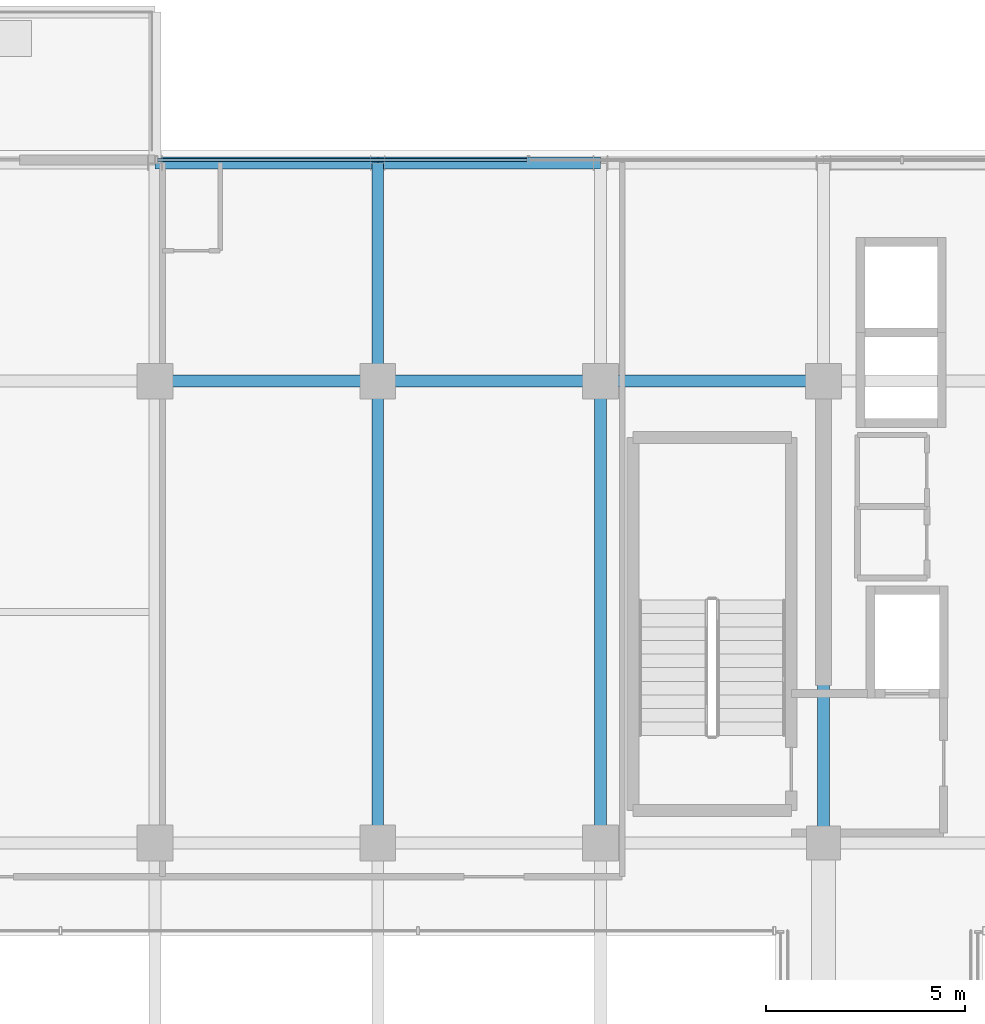
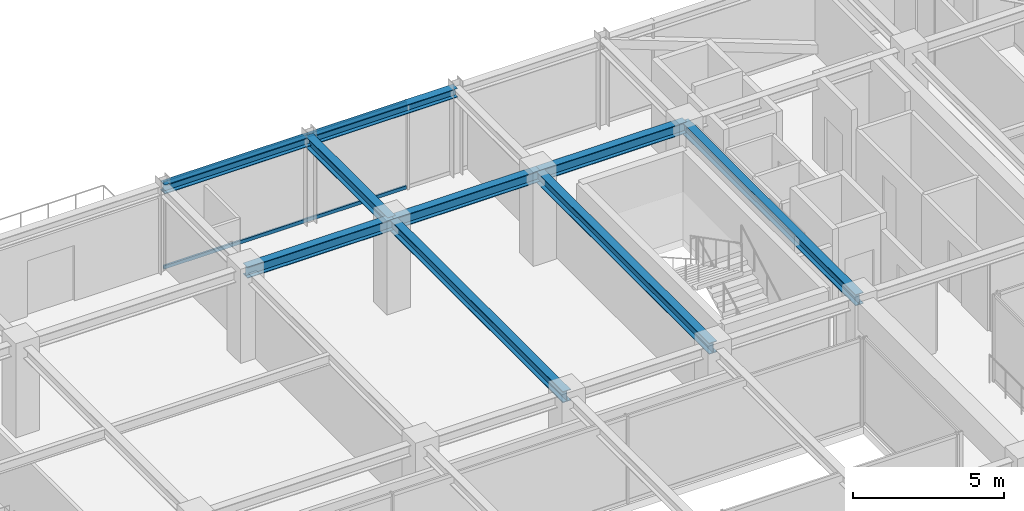
# One storey, part 26 of 39: 9 beams, 2 members, 1 element without a shape of its own.
"""IFC4 building model written with IfcOpenShell, lengths in metres."""

from ifc_helpers import new_model, si_unit, direction, frame, origin, origin_2d, place, context, subcontext, project, spatial, hollow_rectangle, i_section, extrude, source, transform, mapped, material, material_profile, profile_set, type_object, element, aggregate, save


model = new_model("IFC4")

# Units and contexts
model_context = context("Model", 3, precision=1e-05, world=origin(), true_north=direction((0.0, 1.0)))
body_context = subcontext(model_context, "Body", "Model", "MODEL_VIEW")
ifc_project = project(units=[si_unit("LENGTHUNIT", "METRE"), si_unit("AREAUNIT", "SQUARE_METRE"), si_unit("VOLUMEUNIT", "CUBIC_METRE"), si_unit("PLANEANGLEUNIT", "RADIAN"), si_unit("MASSUNIT", "GRAM", prefix="KILO")], contexts=[model_context])

# Site, building, storey
site_placement = place(None, origin())
site = spatial("IfcSite", under=ifc_project, at=site_placement, CompositionType="ELEMENT")
building_placement = place(site_placement, origin())
building = spatial("IfcBuilding", under=site, at=building_placement, Name="Nahalor Promenade Grand Hotel", CompositionType="ELEMENT")
storey_placement = place(building_placement, frame((0.0, 0.0, 311.89990234375)))
storey = spatial("IfcBuildingStorey", under=building, at=storey_placement, Name="L80", CompositionType="ELEMENT", Elevation=311.89990234375)

# Beams
ifc_material_1 = material(Name="Steel S355JR", Category="steel")
ifc_material_profile_1 = material_profile(ifc_material_1, i_section(OverallWidth=0.3, OverallDepth=0.45, WebThickness=0.014, FlangeThickness=0.026, at=origin_2d()), Name="HEB 450")
ifc_profile_set_1 = profile_set([ifc_material_profile_1], Name="Steel S355JR")
beam_type_1 = type_object("IfcBeamType", Name="Beam-Girder-HEB450", PredefinedType="BEAM", material=ifc_profile_set_1)
shared_shape_1 = source(origin(), body_context, "Body", "SweptSolid", [
    extrude(i_section(OverallWidth=0.3, OverallDepth=0.45, WebThickness=0.014, FlangeThickness=0.026, at=origin_2d()), origin(), (0.0, 0.0, 1.0), 5.599853515625),
])
for number, where, z_axis, x_axis, name in (
    (1, (-8.39990234375, 17.0, 3.3251953125), (1.0, 0.0, 0.0), (0.0, 1.0, 0.0), "BM-L80-GX-3-2"),
    (2, (2.800048828125, 17.0, 3.3251953125), (1.0, 0.0, 0.0), (0.0, 1.0, 0.0), "BM-L80-GX-3-4"),
):
    element("IfcBeam", number, at=place(storey_placement, frame(where, z_axis=z_axis, x_axis=x_axis)), inside=storey, type_object=beam_type_1, Name=name, PredefinedType="BEAM", context=body_context, shape_type="MappedRepresentation", body=[
        mapped(shared_shape_1, transform((0.0, 0.0, 0.0), scale=1.0)),
    ])
shared_shape_2 = source(origin(), body_context, "Body", "SweptSolid", [
    extrude(i_section(OverallWidth=0.3, OverallDepth=0.45, WebThickness=0.014, FlangeThickness=0.026, at=origin_2d()), origin(), (0.0, 0.0, 1.0), 5.60009765625),
])
beam_1_placement = place(storey_placement, frame((-2.800048828125, 17.0, 3.3251953125), z_axis=(1.0, 0.0, 0.0), x_axis=(0.0, 1.0, 0.0)))
element("IfcBeam", 3, at=beam_1_placement, inside=storey, type_object=beam_type_1, Name="BM-L80-GX-3-3", PredefinedType="BEAM", context=body_context, shape_type="MappedRepresentation", body=[
    mapped(shared_shape_2, transform((0.0, 0.0, 0.0), scale=1.0)),
])
shared_shape_3 = source(origin(), body_context, "Body", "SweptSolid", [
    extrude(i_section(OverallWidth=0.3, OverallDepth=0.45, WebThickness=0.014, FlangeThickness=0.026, at=origin_2d()), origin(), (0.0, 0.0, 1.0), 11.60009765625),
])
for number, where, z_axis, x_axis, name in (
    (4, (-2.800048828125, 5.39990234375, 3.3251953125), (0.0, 1.0, 0.0), (-1.0, 0.0, 0.0), "BM-L80-GY-2-3"),
    (5, (2.800048828125, 5.39990234375, 3.3251953125), (0.0, 1.0, 0.0), (-1.0, 0.0, 0.0), "BM-L80-GY-3-3"),
    (6, (8.39990234375, 5.39990234375, 3.3251953125), (0.0, 1.0, 0.0), (-1.0, 0.0, 0.0), "BM-L80-GY-4-3"),
):
    element("IfcBeam", number, at=place(storey_placement, frame(where, z_axis=z_axis, x_axis=x_axis)), inside=storey, type_object=beam_type_1, Name=name, PredefinedType="BEAM", context=body_context, shape_type="MappedRepresentation", body=[
        mapped(shared_shape_3, transform((0.0, 0.0, 0.0), scale=1.0)),
    ])
shared_shape_4 = source(origin(), body_context, "Body", "SweptSolid", [
    extrude(i_section(OverallWidth=0.3, OverallDepth=0.45, WebThickness=0.014, FlangeThickness=0.026, at=origin_2d()), origin(), (0.0, 0.0, 1.0), 5.47998046875),
])
beam_2_placement = place(storey_placement, frame((-2.800048828125, 17.0, 3.3251953125), z_axis=(0.0, 1.0, 0.0), x_axis=(-1.0, 0.0, 0.0)))
element("IfcBeam", 7, at=beam_2_placement, inside=storey, type_object=beam_type_1, Name="BM-L80-GY-2-4", PredefinedType="BEAM", context=body_context, shape_type="MappedRepresentation", body=[
    mapped(shared_shape_4, transform((0.0, 0.0, 0.0), scale=1.0)),
])
ifc_material_profile_2 = material_profile(ifc_material_1, i_section(OverallWidth=0.3, OverallDepth=0.36, WebThickness=0.0125, FlangeThickness=0.0225, at=origin_2d()), Name="HEB 360")
ifc_profile_set_2 = profile_set([ifc_material_profile_2], Name="Steel S355JR")
beam_type_2 = type_object("IfcBeamType", Name="Beam-Spandrel-HEB360", PredefinedType="SPANDREL", material=ifc_profile_set_2)
shared_shape_5 = source(origin(), body_context, "Body", "SweptSolid", [
    extrude(i_section(OverallWidth=0.3, OverallDepth=0.36, WebThickness=0.0125, FlangeThickness=0.0225, at=origin_2d()), origin(), (0.0, 0.0, 1.0), 5.599853515625),
])
beam_3_placement = place(storey_placement, frame((-8.39990234375, 22.47998046875, 3.3701171875), z_axis=(1.0, 0.0, 0.0), x_axis=(0.0, 1.0, 0.0)))
element("IfcBeam", 8, at=beam_3_placement, inside=storey, type_object=beam_type_2, Name="BM-L80-SP-N-1", PredefinedType="SPANDREL", context=body_context, shape_type="MappedRepresentation", body=[
    mapped(shared_shape_5, transform((0.0, 0.0, 0.0), scale=1.0)),
])
shared_shape_6 = source(origin(), body_context, "Body", "SweptSolid", [
    extrude(i_section(OverallWidth=0.3, OverallDepth=0.36, WebThickness=0.0125, FlangeThickness=0.0225, at=origin_2d()), origin(), (0.0, 0.0, 1.0), 5.60009765625),
])
beam_4_placement = place(storey_placement, frame((-2.800048828125, 22.47998046875, 3.3701171875), z_axis=(1.0, 0.0, 0.0), x_axis=(0.0, 1.0, 0.0)))
element("IfcBeam", 9, at=beam_4_placement, inside=storey, type_object=beam_type_2, Name="BM-L80-SP-N-2", PredefinedType="SPANDREL", context=body_context, shape_type="MappedRepresentation", body=[
    mapped(shared_shape_6, transform((0.0, 0.0, 0.0), scale=1.0)),
])

# Curtain wall, members
ifc_material_2 = material(Name="Anodised Bronze Aluminium EN AW-6063 T6", Category="aluminium")
curtain_wall_type = type_object("IfcCurtainWallType", Name="CW3 Elliptical-Void Collar Unitised Curtain Wall", PredefinedType="USERDEFINED", material=ifc_material_2)
curtain_wall_placement = place(storey_placement, origin())
curtain_wall = element("IfcCurtainWall", 10, at=curtain_wall_placement, inside=storey, type_object=curtain_wall_type, Name="L80 Curtain Wall CW-L80-N-3", ObjectType="UNITISED_CURTAIN_WALL", PredefinedType="USERDEFINED")
ifc_material_profile_3 = material_profile(ifc_material_2, hollow_rectangle(XDim=0.07, YDim=0.14, WallThickness=0.004, at=origin_2d()), Name="CWT 70x140x4")
ifc_profile_set_3 = profile_set([ifc_material_profile_3], Name="Anodised Bronze Aluminium EN AW-6063 T6")
member_type = type_object("IfcMemberType", Name="CWT3 Void Collar Transom 70x140", PredefinedType="USERDEFINED", material=ifc_profile_set_3)
shared_shape_7 = source(origin(), body_context, "Body", "SweptSolid", [
    extrude(hollow_rectangle(XDim=0.07, YDim=0.14, WallThickness=0.004, at=origin_2d()), origin(), (0.0, 0.0, 1.0), 9.28173828125),
])
member_1_placement = place(storey_placement, frame((-8.330078125, 22.56005859375, 0.070068359375), z_axis=(1.0, 0.0, 0.0), x_axis=(0.0, 1.0, 0.0)))
member_1 = element("IfcMember", 11, at=member_1_placement, type_object=member_type, Name="CW-L80-N-3 Transom 0-0", ObjectType="TRANSOM", PredefinedType="USERDEFINED", context=body_context, shape_type="MappedRepresentation", body=[
    mapped(shared_shape_7, transform((0.0, 0.0, 0.0), scale=1.0)),
])
member_2_placement = place(storey_placement, frame((-8.330078125, 22.56005859375, 3.47998046875), z_axis=(1.0, 0.0, 0.0), x_axis=(0.0, 1.0, 0.0)))
member_2 = element("IfcMember", 12, at=member_2_placement, type_object=member_type, Name="CW-L80-N-3 Transom 0-1", ObjectType="TRANSOM", PredefinedType="USERDEFINED", context=body_context, shape_type="MappedRepresentation", body=[
    mapped(shared_shape_7, transform((0.0, 0.0, 0.0), scale=1.0)),
])
aggregate(curtain_wall, [member_1, member_2])

save(model, "model.ifc")
